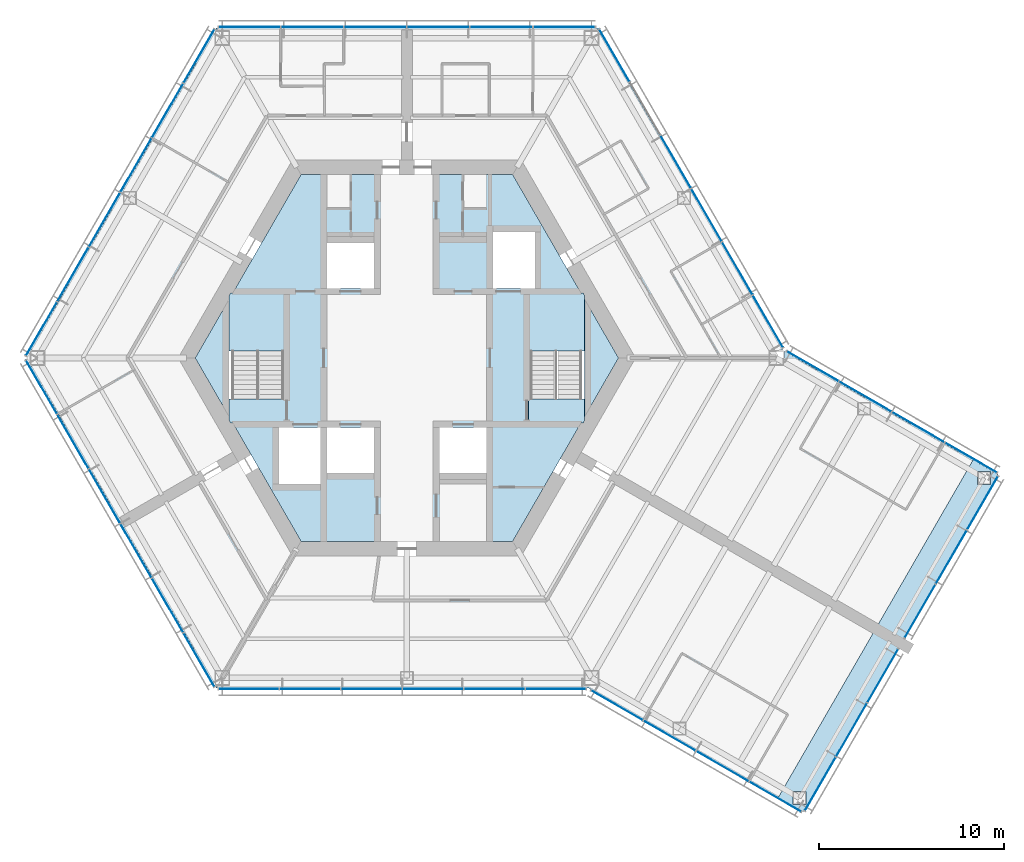
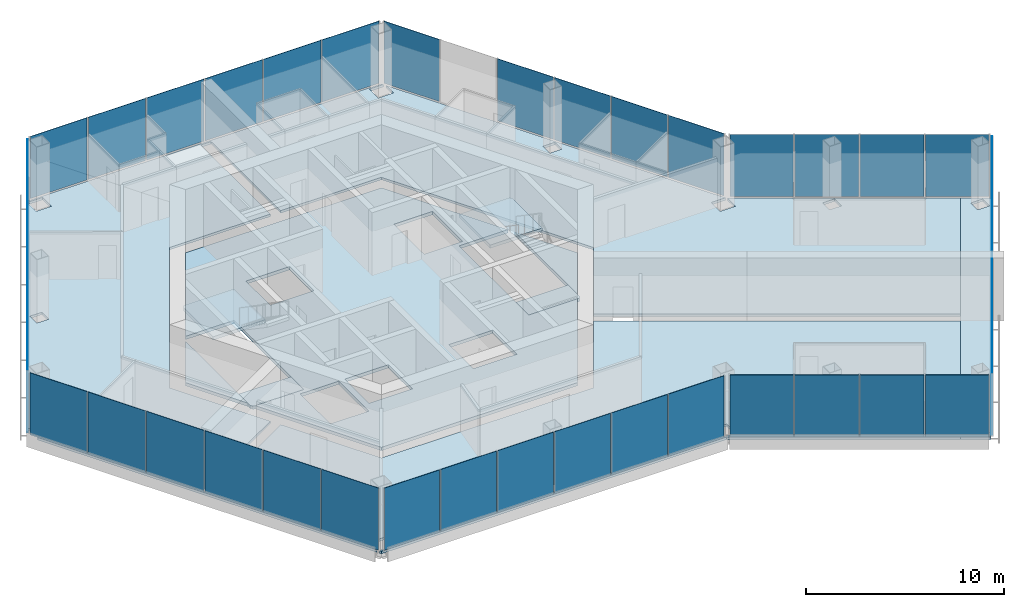
# One storey, part 8 of 14: 43 plates, 9 slabs, 11 elements without a shape of their own.
"""IFC4 building model written with IfcOpenShell, lengths in metres."""

from ifc_helpers import new_model, si_unit, direction, frame, origin, origin_2d, place, context, subcontext, project, spatial, polyline, rectangle, outline, extrude, material, layer, layer_set, type_object, element, aggregate, save


model = new_model("IFC4")

# Units and contexts
model_context = context("Model", 3, precision=1e-05, world=origin(), true_north=direction((0.0, 1.0)))
body_context = subcontext(model_context, "Body", "Model", "MODEL_VIEW")
ifc_project = project(units=[si_unit("LENGTHUNIT", "METRE"), si_unit("AREAUNIT", "SQUARE_METRE"), si_unit("VOLUMEUNIT", "CUBIC_METRE"), si_unit("PLANEANGLEUNIT", "RADIAN"), si_unit("MASSUNIT", "GRAM", prefix="KILO")], contexts=[model_context])

# Site, building, storey
site_placement = place(None, origin())
site = spatial("IfcSite", under=ifc_project, at=site_placement, CompositionType="ELEMENT")
building_placement = place(site_placement, origin())
building = spatial("IfcBuilding", under=site, at=building_placement, Name="Kasaneha Research Tower", CompositionType="ELEMENT")
storey_placement = place(building_placement, frame((0.0, 0.0, 216.699951171875)))
storey = spatial("IfcBuildingStorey", under=building, at=storey_placement, Name="L54", CompositionType="ELEMENT", Elevation=216.699951171875)

# Curtain wall, plates
ifc_material_1 = material(Name="Glass and aluminium", Category="aluminium")
curtain_wall_type = type_object("IfcCurtainWallType", Name="High-rise office curtain wall", PredefinedType="USERDEFINED", material=ifc_material_1)
curtain_wall_1_placement = place(storey_placement, origin())
curtain_wall_1 = element("IfcCurtainWall", 1, at=curtain_wall_1_placement, inside=storey, type_object=curtain_wall_type, Name="CW-O3 L54 run 01a", ObjectType="UNITISED CURTAIN WALL", PredefinedType="USERDEFINED")
ifc_material_2 = material(Name="Laminated double glazing", Category="glass")
ifc_layer_1 = layer(ifc_material_2, 0.02392578125)
ifc_layer_set_1 = layer_set([ifc_layer_1], Name="CW-O3 glazed panel")
plate_type = type_object("IfcPlateType", Name="CW-O3 glazed panel", PredefinedType="CURTAIN_PANEL", material=ifc_layer_set_1)
plate_1_placement = place(storey_placement, frame((19.549072265625, 1.981201171875, 0.06005859375), z_axis=(0.0, 0.0, 1.0), x_axis=(-0.499999979232, 0.866025415775, 0.0)))
plate_1 = element("IfcPlate", 2, at=plate_1_placement, type_object=plate_type, Name="CW-O3 panel 1", PredefinedType="CURTAIN_PANEL", context=body_context, shape_type="SweptSolid", body=[
    extrude(rectangle(XDim=3.240966796875, YDim=0.02392578125, at=origin_2d()), origin(), (0.0, 0.0, 1.0), 3.840087890625),
])
plate_2_placement = place(storey_placement, frame((17.89111328125, 4.852783203125, 0.06005859375), z_axis=(0.0, 0.0, 1.0), x_axis=(-0.499999979232, 0.866025415775, 0.0)))
plate_2 = element("IfcPlate", 3, at=plate_2_placement, type_object=plate_type, Name="CW-O3 panel 2", PredefinedType="CURTAIN_PANEL", context=body_context, shape_type="SweptSolid", body=[
    extrude(rectangle(XDim=3.27099609375, YDim=0.02392578125, at=origin_2d()), origin(), (0.0, 0.0, 1.0), 3.840087890625),
])
plate_3_placement = place(storey_placement, frame((16.2255859375, 7.737548828125, 0.06005859375), z_axis=(0.0, 0.0, 1.0), x_axis=(-0.499999979232, 0.866025415775, 0.0)))
plate_3 = element("IfcPlate", 4, at=plate_3_placement, type_object=plate_type, Name="CW-O3 panel 3", PredefinedType="CURTAIN_PANEL", context=body_context, shape_type="SweptSolid", body=[
    extrude(rectangle(XDim=3.27099609375, YDim=0.02392578125, at=origin_2d()), origin(), (0.0, 0.0, 1.0), 3.840087890625),
])
plate_4_placement = place(storey_placement, frame((14.56005859375, 10.622314453125, 0.06005859375), z_axis=(0.0, 0.0, 1.0), x_axis=(-0.499999979232, 0.866025415775, 0.0)))
plate_4 = element("IfcPlate", 5, at=plate_4_placement, type_object=plate_type, Name="CW-O3 panel 4", PredefinedType="CURTAIN_PANEL", context=body_context, shape_type="SweptSolid", body=[
    extrude(rectangle(XDim=3.27099609375, YDim=0.02392578125, at=origin_2d()), origin(), (0.0, 0.0, 1.0), 3.840087890625),
])
plate_5_placement = place(storey_placement, frame((11.236572265625, 16.378662109375, 0.06005859375), z_axis=(0.0, 0.0, 1.0), x_axis=(-0.499999979232, 0.866025415775, 0.0)))
plate_5 = element("IfcPlate", 6, at=plate_5_placement, type_object=plate_type, Name="CW-O3 panel 6", PredefinedType="CURTAIN_PANEL", context=body_context, shape_type="SweptSolid", body=[
    extrude(rectangle(XDim=3.240966796875, YDim=0.02392578125, at=origin_2d()), origin(), (0.0, 0.0, 1.0), 3.840087890625),
])
aggregate(curtain_wall_1, [plate_1, plate_2, plate_3, plate_4, plate_5])

curtain_wall_2_placement = place(storey_placement, origin())
curtain_wall_2 = element("IfcCurtainWall", 7, at=curtain_wall_2_placement, inside=storey, type_object=curtain_wall_type, Name="CW-O3 L54 run 02a", ObjectType="UNITISED CURTAIN WALL", PredefinedType="USERDEFINED")
plate_6_placement = place(storey_placement, frame((8.523681640625, 17.92041015625, 0.06005859375), z_axis=(0.0, 0.0, 1.0), x_axis=(-1.0, 0.0, 0.0)))
plate_6 = element("IfcPlate", 8, at=plate_6_placement, type_object=plate_type, Name="CW-O3 panel 1", PredefinedType="CURTAIN_PANEL", context=body_context, shape_type="SweptSolid", body=[
    extrude(rectangle(XDim=3.325439453125, YDim=0.02392578125, at=origin_2d()), origin(), (0.0, 0.0, 1.0), 3.840087890625),
])
plate_7_placement = place(storey_placement, frame((5.123291015625, 17.92041015625, 0.06005859375), z_axis=(0.0, 0.0, 1.0), x_axis=(-1.0, 0.0, 0.0)))
plate_7 = element("IfcPlate", 9, at=plate_7_placement, type_object=plate_type, Name="CW-O3 panel 2", PredefinedType="CURTAIN_PANEL", context=body_context, shape_type="SweptSolid", body=[
    extrude(rectangle(XDim=3.35546875, YDim=0.02392578125, at=origin_2d()), origin(), (0.0, 0.0, 1.0), 3.840087890625),
])
plate_8_placement = place(storey_placement, frame((1.707763671875, 17.92041015625, 0.06005859375), z_axis=(0.0, 0.0, 1.0), x_axis=(-1.0, 0.0, 0.0)))
plate_8 = element("IfcPlate", 10, at=plate_8_placement, type_object=plate_type, Name="CW-O3 panel 3", PredefinedType="CURTAIN_PANEL", context=body_context, shape_type="SweptSolid", body=[
    extrude(rectangle(XDim=3.35546875, YDim=0.02392578125, at=origin_2d()), origin(), (0.0, 0.0, 1.0), 3.840087890625),
])
plate_9_placement = place(storey_placement, frame((-1.707763671875, 17.92041015625, 0.06005859375), z_axis=(0.0, 0.0, 1.0), x_axis=(-1.0, 0.0, 0.0)))
plate_9 = element("IfcPlate", 11, at=plate_9_placement, type_object=plate_type, Name="CW-O3 panel 4", PredefinedType="CURTAIN_PANEL", context=body_context, shape_type="SweptSolid", body=[
    extrude(rectangle(XDim=3.35546875, YDim=0.02392578125, at=origin_2d()), origin(), (0.0, 0.0, 1.0), 3.840087890625),
])
plate_10_placement = place(storey_placement, frame((-5.123291015625, 17.92041015625, 0.06005859375), z_axis=(0.0, 0.0, 1.0), x_axis=(-1.0, 0.0, 0.0)))
plate_10 = element("IfcPlate", 12, at=plate_10_placement, type_object=plate_type, Name="CW-O3 panel 5", PredefinedType="CURTAIN_PANEL", context=body_context, shape_type="SweptSolid", body=[
    extrude(rectangle(XDim=3.35546875, YDim=0.02392578125, at=origin_2d()), origin(), (0.0, 0.0, 1.0), 3.840087890625),
])
plate_11_placement = place(storey_placement, frame((-8.523681640625, 17.92041015625, 0.06005859375), z_axis=(0.0, 0.0, 1.0), x_axis=(-1.0, 0.0, 0.0)))
plate_11 = element("IfcPlate", 13, at=plate_11_placement, type_object=plate_type, Name="CW-O3 panel 6", PredefinedType="CURTAIN_PANEL", context=body_context, shape_type="SweptSolid", body=[
    extrude(rectangle(XDim=3.325439453125, YDim=0.02392578125, at=origin_2d()), origin(), (0.0, 0.0, 1.0), 3.840087890625),
])
aggregate(curtain_wall_2, [plate_6, plate_7, plate_8, plate_9, plate_10, plate_11])

curtain_wall_3_placement = place(storey_placement, origin())
curtain_wall_3 = element("IfcCurtainWall", 14, at=curtain_wall_3_placement, inside=storey, type_object=curtain_wall_type, Name="CW-O3 L54 run 03a", ObjectType="UNITISED CURTAIN WALL", PredefinedType="USERDEFINED")
plate_12_placement = place(storey_placement, frame((-11.2578125, 16.342041015625, 0.06005859375), z_axis=(0.0, 0.0, 1.0), x_axis=(-0.499999995722, -0.866025406254, 0.0)))
plate_12 = element("IfcPlate", 15, at=plate_12_placement, type_object=plate_type, Name="CW-O3 panel 1", PredefinedType="CURTAIN_PANEL", context=body_context, shape_type="SweptSolid", body=[
    extrude(rectangle(XDim=3.325439453125, YDim=0.02392578125, at=origin_2d()), origin(), (0.0, 0.0, 1.0), 3.840087890625),
])
plate_13_placement = place(storey_placement, frame((-12.9580078125, 13.39697265625, 0.06005859375), z_axis=(0.0, 0.0, 1.0), x_axis=(-0.499999995722, -0.866025406254, 0.0)))
plate_13 = element("IfcPlate", 16, at=plate_13_placement, type_object=plate_type, Name="CW-O3 panel 2", PredefinedType="CURTAIN_PANEL", context=body_context, shape_type="SweptSolid", body=[
    extrude(rectangle(XDim=3.35546875, YDim=0.02392578125, at=origin_2d()), origin(), (0.0, 0.0, 1.0), 3.840087890625),
])
plate_14_placement = place(storey_placement, frame((-14.665771484375, 10.439208984375, 0.06005859375), z_axis=(0.0, 0.0, 1.0), x_axis=(-0.499999995722, -0.866025406254, 0.0)))
plate_14 = element("IfcPlate", 17, at=plate_14_placement, type_object=plate_type, Name="CW-O3 panel 3", PredefinedType="CURTAIN_PANEL", context=body_context, shape_type="SweptSolid", body=[
    extrude(rectangle(XDim=3.35546875, YDim=0.02392578125, at=origin_2d()), origin(), (0.0, 0.0, 1.0), 3.840087890625),
])
plate_15_placement = place(storey_placement, frame((-16.37353515625, 7.481201171875, 0.06005859375), z_axis=(0.0, 0.0, 1.0), x_axis=(-0.499999995722, -0.866025406254, 0.0)))
plate_15 = element("IfcPlate", 18, at=plate_15_placement, type_object=plate_type, Name="CW-O3 panel 4", PredefinedType="CURTAIN_PANEL", context=body_context, shape_type="SweptSolid", body=[
    extrude(rectangle(XDim=3.35546875, YDim=0.02392578125, at=origin_2d()), origin(), (0.0, 0.0, 1.0), 3.840087890625),
])
plate_16_placement = place(storey_placement, frame((-18.081298828125, 4.5234375, 0.06005859375), z_axis=(0.0, 0.0, 1.0), x_axis=(-0.499999995722, -0.866025406254, 0.0)))
plate_16 = element("IfcPlate", 19, at=plate_16_placement, type_object=plate_type, Name="CW-O3 panel 5", PredefinedType="CURTAIN_PANEL", context=body_context, shape_type="SweptSolid", body=[
    extrude(rectangle(XDim=3.35546875, YDim=0.02392578125, at=origin_2d()), origin(), (0.0, 0.0, 1.0), 3.840087890625),
])
plate_17_placement = place(storey_placement, frame((-19.781494140625, 1.57861328125, 0.06005859375), z_axis=(0.0, 0.0, 1.0), x_axis=(-0.499999995722, -0.866025406254, 0.0)))
plate_17 = element("IfcPlate", 20, at=plate_17_placement, type_object=plate_type, Name="CW-O3 panel 6", PredefinedType="CURTAIN_PANEL", context=body_context, shape_type="SweptSolid", body=[
    extrude(rectangle(XDim=3.325439453125, YDim=0.02392578125, at=origin_2d()), origin(), (0.0, 0.0, 1.0), 3.840087890625),
])
aggregate(curtain_wall_3, [plate_12, plate_13, plate_14, plate_15, plate_16, plate_17])

curtain_wall_4_placement = place(storey_placement, origin())
curtain_wall_4 = element("IfcCurtainWall", 21, at=curtain_wall_4_placement, inside=storey, type_object=curtain_wall_type, Name="CW-O3 L54 run 04a", ObjectType="UNITISED CURTAIN WALL", PredefinedType="USERDEFINED")
plate_18_placement = place(storey_placement, frame((-19.781494140625, -1.57861328125, 0.06005859375), z_axis=(0.0, 0.0, 1.0), x_axis=(0.499999995722, -0.866025406254, 0.0)))
plate_18 = element("IfcPlate", 22, at=plate_18_placement, type_object=plate_type, Name="CW-O3 panel 1", PredefinedType="CURTAIN_PANEL", context=body_context, shape_type="SweptSolid", body=[
    extrude(rectangle(XDim=3.325439453125, YDim=0.02392578125, at=origin_2d()), origin(), (0.0, 0.0, 1.0), 3.840087890625),
])
plate_19_placement = place(storey_placement, frame((-18.081298828125, -4.5234375, 0.06005859375), z_axis=(0.0, 0.0, 1.0), x_axis=(0.499999995722, -0.866025406254, 0.0)))
plate_19 = element("IfcPlate", 23, at=plate_19_placement, type_object=plate_type, Name="CW-O3 panel 2", PredefinedType="CURTAIN_PANEL", context=body_context, shape_type="SweptSolid", body=[
    extrude(rectangle(XDim=3.35546875, YDim=0.02392578125, at=origin_2d()), origin(), (0.0, 0.0, 1.0), 3.840087890625),
])
plate_20_placement = place(storey_placement, frame((-16.37353515625, -7.481201171875, 0.06005859375), z_axis=(0.0, 0.0, 1.0), x_axis=(0.499999995722, -0.866025406254, 0.0)))
plate_20 = element("IfcPlate", 24, at=plate_20_placement, type_object=plate_type, Name="CW-O3 panel 3", PredefinedType="CURTAIN_PANEL", context=body_context, shape_type="SweptSolid", body=[
    extrude(rectangle(XDim=3.35546875, YDim=0.02392578125, at=origin_2d()), origin(), (0.0, 0.0, 1.0), 3.840087890625),
])
plate_21_placement = place(storey_placement, frame((-14.665771484375, -10.439208984375, 0.06005859375), z_axis=(0.0, 0.0, 1.0), x_axis=(0.499999995722, -0.866025406254, 0.0)))
plate_21 = element("IfcPlate", 25, at=plate_21_placement, type_object=plate_type, Name="CW-O3 panel 4", PredefinedType="CURTAIN_PANEL", context=body_context, shape_type="SweptSolid", body=[
    extrude(rectangle(XDim=3.35546875, YDim=0.02392578125, at=origin_2d()), origin(), (0.0, 0.0, 1.0), 3.840087890625),
])
plate_22_placement = place(storey_placement, frame((-12.9580078125, -13.39697265625, 0.06005859375), z_axis=(0.0, 0.0, 1.0), x_axis=(0.499999995722, -0.866025406254, 0.0)))
plate_22 = element("IfcPlate", 26, at=plate_22_placement, type_object=plate_type, Name="CW-O3 panel 5", PredefinedType="CURTAIN_PANEL", context=body_context, shape_type="SweptSolid", body=[
    extrude(rectangle(XDim=3.35546875, YDim=0.02392578125, at=origin_2d()), origin(), (0.0, 0.0, 1.0), 3.840087890625),
])
plate_23_placement = place(storey_placement, frame((-11.2578125, -16.342041015625, 0.06005859375), z_axis=(0.0, 0.0, 1.0), x_axis=(0.499999995722, -0.866025406254, 0.0)))
plate_23 = element("IfcPlate", 27, at=plate_23_placement, type_object=plate_type, Name="CW-O3 panel 6", PredefinedType="CURTAIN_PANEL", context=body_context, shape_type="SweptSolid", body=[
    extrude(rectangle(XDim=3.325439453125, YDim=0.02392578125, at=origin_2d()), origin(), (0.0, 0.0, 1.0), 3.840087890625),
])
aggregate(curtain_wall_4, [plate_18, plate_19, plate_20, plate_21, plate_22, plate_23])

curtain_wall_5_placement = place(storey_placement, origin())
curtain_wall_5 = element("IfcCurtainWall", 28, at=curtain_wall_5_placement, inside=storey, type_object=curtain_wall_type, Name="CW-O3 L54 run 05a", ObjectType="UNITISED CURTAIN WALL", PredefinedType="USERDEFINED")
plate_24_placement = place(storey_placement, frame((-8.56591796875, -17.92041015625, 0.06005859375), z_axis=(0.0, 0.0, 1.0), x_axis=(1.0, 0.0, 0.0)))
plate_24 = element("IfcPlate", 29, at=plate_24_placement, type_object=plate_type, Name="CW-O3 panel 1", PredefinedType="CURTAIN_PANEL", context=body_context, shape_type="SweptSolid", body=[
    extrude(rectangle(XDim=3.240966796875, YDim=0.02392578125, at=origin_2d()), origin(), (0.0, 0.0, 1.0), 3.840087890625),
])
plate_25_placement = place(storey_placement, frame((-5.25, -17.92041015625, 0.06005859375), z_axis=(0.0, 0.0, 1.0), x_axis=(1.0, 0.0, 0.0)))
plate_25 = element("IfcPlate", 30, at=plate_25_placement, type_object=plate_type, Name="CW-O3 panel 2", PredefinedType="CURTAIN_PANEL", context=body_context, shape_type="SweptSolid", body=[
    extrude(rectangle(XDim=3.27099609375, YDim=0.02392578125, at=origin_2d()), origin(), (0.0, 0.0, 1.0), 3.840087890625),
])
plate_26_placement = place(storey_placement, frame((-1.9189453125, -17.92041015625, 0.06005859375), z_axis=(0.0, 0.0, 1.0), x_axis=(1.0, 0.0, 0.0)))
plate_26 = element("IfcPlate", 31, at=plate_26_placement, type_object=plate_type, Name="CW-O3 panel 3", PredefinedType="CURTAIN_PANEL", context=body_context, shape_type="SweptSolid", body=[
    extrude(rectangle(XDim=3.27099609375, YDim=0.02392578125, at=origin_2d()), origin(), (0.0, 0.0, 1.0), 3.840087890625),
])
plate_27_placement = place(storey_placement, frame((1.411865234375, -17.92041015625, 0.06005859375), z_axis=(0.0, 0.0, 1.0), x_axis=(1.0, 0.0, 0.0)))
plate_27 = element("IfcPlate", 32, at=plate_27_placement, type_object=plate_type, Name="CW-O3 panel 4", PredefinedType="CURTAIN_PANEL", context=body_context, shape_type="SweptSolid", body=[
    extrude(rectangle(XDim=3.27099609375, YDim=0.02392578125, at=origin_2d()), origin(), (0.0, 0.0, 1.0), 3.840087890625),
])
plate_28_placement = place(storey_placement, frame((4.742919921875, -17.92041015625, 0.06005859375), z_axis=(0.0, 0.0, 1.0), x_axis=(1.0, 0.0, 0.0)))
plate_28 = element("IfcPlate", 33, at=plate_28_placement, type_object=plate_type, Name="CW-O3 panel 5", PredefinedType="CURTAIN_PANEL", context=body_context, shape_type="SweptSolid", body=[
    extrude(rectangle(XDim=3.27099609375, YDim=0.02392578125, at=origin_2d()), origin(), (0.0, 0.0, 1.0), 3.840087890625),
])
plate_29_placement = place(storey_placement, frame((8.058837890625, -17.92041015625, 0.06005859375), z_axis=(0.0, 0.0, 1.0), x_axis=(1.0, 0.0, 0.0)))
plate_29 = element("IfcPlate", 34, at=plate_29_placement, type_object=plate_type, Name="CW-O3 panel 6", PredefinedType="CURTAIN_PANEL", context=body_context, shape_type="SweptSolid", body=[
    extrude(rectangle(XDim=3.240966796875, YDim=0.02392578125, at=origin_2d()), origin(), (0.0, 0.0, 1.0), 3.840087890625),
])
aggregate(curtain_wall_5, [plate_24, plate_25, plate_26, plate_27, plate_28, plate_29])

curtain_wall_6_placement = place(storey_placement, origin())
curtain_wall_6 = element("IfcCurtainWall", 35, at=curtain_wall_6_placement, inside=storey, type_object=curtain_wall_type, Name="CW-O3 L54 run 06a", ObjectType="UNITISED CURTAIN WALL", PredefinedType="USERDEFINED")
plate_30_placement = place(storey_placement, frame((11.3720703125, -18.805419921875, 0.06005859375), z_axis=(0.0, 0.0, 1.0), x_axis=(0.866025411464, -0.499999986699, 0.0)))
plate_30 = element("IfcPlate", 36, at=plate_30_placement, type_object=plate_type, Name="CW-O3 panel 1", PredefinedType="CURTAIN_PANEL", context=body_context, shape_type="SweptSolid", body=[
    extrude(rectangle(XDim=3.2197265625, YDim=0.02392578125, at=origin_2d()), origin(), (0.0, 0.0, 1.0), 3.840087890625),
])
plate_31_placement = place(storey_placement, frame((14.225341796875, -20.452880859375, 0.06005859375), z_axis=(0.0, 0.0, 1.0), x_axis=(0.866025411464, -0.499999986699, 0.0)))
plate_31 = element("IfcPlate", 37, at=plate_31_placement, type_object=plate_type, Name="CW-O3 panel 2", PredefinedType="CURTAIN_PANEL", context=body_context, shape_type="SweptSolid", body=[
    extrude(rectangle(XDim=3.249755859375, YDim=0.02392578125, at=origin_2d()), origin(), (0.0, 0.0, 1.0), 3.840087890625),
])
plate_32_placement = place(storey_placement, frame((17.091796875, -22.107666015625, 0.06005859375), z_axis=(0.0, 0.0, 1.0), x_axis=(0.866025411464, -0.499999986699, 0.0)))
plate_32 = element("IfcPlate", 38, at=plate_32_placement, type_object=plate_type, Name="CW-O3 panel 3", PredefinedType="CURTAIN_PANEL", context=body_context, shape_type="SweptSolid", body=[
    extrude(rectangle(XDim=3.249755859375, YDim=0.02392578125, at=origin_2d()), origin(), (0.0, 0.0, 1.0), 3.840087890625),
])
plate_33_placement = place(storey_placement, frame((19.945068359375, -23.755126953125, 0.06005859375), z_axis=(0.0, 0.0, 1.0), x_axis=(0.866025411464, -0.499999986699, 0.0)))
plate_33 = element("IfcPlate", 39, at=plate_33_placement, type_object=plate_type, Name="CW-O3 panel 4", PredefinedType="CURTAIN_PANEL", context=body_context, shape_type="SweptSolid", body=[
    extrude(rectangle(XDim=3.2197265625, YDim=0.02392578125, at=origin_2d()), origin(), (0.0, 0.0, 1.0), 3.840087890625),
])
aggregate(curtain_wall_6, [plate_30, plate_31, plate_32, plate_33])

curtain_wall_7_placement = place(storey_placement, origin())
curtain_wall_7 = element("IfcCurtainWall", 40, at=curtain_wall_7_placement, inside=storey, type_object=curtain_wall_type, Name="CW-O3 L54 run 07a", ObjectType="UNITISED CURTAIN WALL", PredefinedType="USERDEFINED")
plate_34_placement = place(storey_placement, frame((22.385498046875, -23.068359375, 0.06005859375), z_axis=(0.0, 0.0, 1.0), x_axis=(0.500000011442, 0.866025397178, 0.0)))
plate_34 = element("IfcPlate", 41, at=plate_34_placement, type_object=plate_type, Name="CW-O3 panel 1", PredefinedType="CURTAIN_PANEL", context=body_context, shape_type="SweptSolid", body=[
    extrude(rectangle(XDim=3.31005859375, YDim=0.02392578125, at=origin_2d()), origin(), (0.0, 0.0, 1.0), 3.840087890625),
])
plate_35_placement = place(storey_placement, frame((24.077880859375, -20.13671875, 0.06005859375), z_axis=(0.0, 0.0, 1.0), x_axis=(0.500000011442, 0.866025397178, 0.0)))
plate_35 = element("IfcPlate", 42, at=plate_35_placement, type_object=plate_type, Name="CW-O3 panel 2", PredefinedType="CURTAIN_PANEL", context=body_context, shape_type="SweptSolid", body=[
    extrude(rectangle(XDim=3.340087890625, YDim=0.02392578125, at=origin_2d()), origin(), (0.0, 0.0, 1.0), 3.840087890625),
])
plate_36_placement = place(storey_placement, frame((25.7705078125, -17.205322265625, 0.06005859375), z_axis=(0.0, 0.0, 1.0), x_axis=(0.500000011442, 0.866025397178, 0.0)))
plate_36 = element("IfcPlate", 43, at=plate_36_placement, type_object=plate_type, Name="CW-O3 panel 3", PredefinedType="CURTAIN_PANEL", context=body_context, shape_type="SweptSolid", body=[
    extrude(rectangle(XDim=3.31005859375, YDim=0.02392578125, at=origin_2d()), origin(), (0.0, 0.0, 1.0), 3.840087890625),
])
aggregate(curtain_wall_7, [plate_34, plate_35, plate_36])

curtain_wall_8_placement = place(storey_placement, origin())
curtain_wall_8 = element("IfcCurtainWall", 44, at=curtain_wall_8_placement, inside=storey, type_object=curtain_wall_type, Name="CW-O3 L54 run 08a", ObjectType="UNITISED CURTAIN WALL", PredefinedType="USERDEFINED")
plate_37_placement = place(storey_placement, frame((27.785400390625, -13.71533203125, 0.06005859375), z_axis=(0.0, 0.0, 1.0), x_axis=(0.500000011442, 0.866025397178, 0.0)))
plate_37 = element("IfcPlate", 45, at=plate_37_placement, type_object=plate_type, Name="CW-O3 panel 1", PredefinedType="CURTAIN_PANEL", context=body_context, shape_type="SweptSolid", body=[
    extrude(rectangle(XDim=3.31005859375, YDim=0.02392578125, at=origin_2d()), origin(), (0.0, 0.0, 1.0), 3.840087890625),
])
plate_38_placement = place(storey_placement, frame((29.47802734375, -10.78369140625, 0.06005859375), z_axis=(0.0, 0.0, 1.0), x_axis=(0.500000011442, 0.866025397178, 0.0)))
plate_38 = element("IfcPlate", 46, at=plate_38_placement, type_object=plate_type, Name="CW-O3 panel 2", PredefinedType="CURTAIN_PANEL", context=body_context, shape_type="SweptSolid", body=[
    extrude(rectangle(XDim=3.340087890625, YDim=0.02392578125, at=origin_2d()), origin(), (0.0, 0.0, 1.0), 3.840087890625),
])
plate_39_placement = place(storey_placement, frame((31.17041015625, -7.852294921875, 0.06005859375), z_axis=(0.0, 0.0, 1.0), x_axis=(0.500000011442, 0.866025397178, 0.0)))
plate_39 = element("IfcPlate", 47, at=plate_39_placement, type_object=plate_type, Name="CW-O3 panel 3", PredefinedType="CURTAIN_PANEL", context=body_context, shape_type="SweptSolid", body=[
    extrude(rectangle(XDim=3.31005859375, YDim=0.02392578125, at=origin_2d()), origin(), (0.0, 0.0, 1.0), 3.840087890625),
])
aggregate(curtain_wall_8, [plate_37, plate_38, plate_39])

curtain_wall_9_placement = place(storey_placement, origin())
curtain_wall_9 = element("IfcCurtainWall", 48, at=curtain_wall_9_placement, inside=storey, type_object=curtain_wall_type, Name="CW-O3 L54 run 09a", ObjectType="UNITISED CURTAIN WALL", PredefinedType="USERDEFINED")
plate_40_placement = place(storey_placement, frame((30.545166015625, -5.3955078125, 0.06005859375), z_axis=(0.0, 0.0, 1.0), x_axis=(-0.866025411464, 0.499999986699, 0.0)))
plate_40 = element("IfcPlate", 49, at=plate_40_placement, type_object=plate_type, Name="CW-O3 panel 1", PredefinedType="CURTAIN_PANEL", context=body_context, shape_type="SweptSolid", body=[
    extrude(rectangle(XDim=3.2197265625, YDim=0.02392578125, at=origin_2d()), origin(), (0.0, 0.0, 1.0), 3.840087890625),
])
plate_41_placement = place(storey_placement, frame((27.69189453125, -3.748046875, 0.06005859375), z_axis=(0.0, 0.0, 1.0), x_axis=(-0.866025411464, 0.499999986699, 0.0)))
plate_41 = element("IfcPlate", 50, at=plate_41_placement, type_object=plate_type, Name="CW-O3 panel 2", PredefinedType="CURTAIN_PANEL", context=body_context, shape_type="SweptSolid", body=[
    extrude(rectangle(XDim=3.249755859375, YDim=0.02392578125, at=origin_2d()), origin(), (0.0, 0.0, 1.0), 3.840087890625),
])
plate_42_placement = place(storey_placement, frame((24.825439453125, -2.093017578125, 0.06005859375), z_axis=(0.0, 0.0, 1.0), x_axis=(-0.866025411464, 0.499999986699, 0.0)))
plate_42 = element("IfcPlate", 51, at=plate_42_placement, type_object=plate_type, Name="CW-O3 panel 3", PredefinedType="CURTAIN_PANEL", context=body_context, shape_type="SweptSolid", body=[
    extrude(rectangle(XDim=3.249755859375, YDim=0.02392578125, at=origin_2d()), origin(), (0.0, 0.0, 1.0), 3.840087890625),
])
plate_43_placement = place(storey_placement, frame((21.971923828125, -0.44580078125, 0.06005859375), z_axis=(0.0, 0.0, 1.0), x_axis=(-0.866025411464, 0.499999986699, 0.0)))
plate_43 = element("IfcPlate", 52, at=plate_43_placement, type_object=plate_type, Name="CW-O3 panel 4", PredefinedType="CURTAIN_PANEL", context=body_context, shape_type="SweptSolid", body=[
    extrude(rectangle(XDim=3.2197265625, YDim=0.02392578125, at=origin_2d()), origin(), (0.0, 0.0, 1.0), 3.840087890625),
])
aggregate(curtain_wall_9, [plate_40, plate_41, plate_42, plate_43])

# Slabs
ifc_material_3 = material(Name="Concrete Fc24", Category="concrete")
ifc_layer_2 = layer(ifc_material_3, 0.199951171875)
ifc_layer_set_2 = layer_set([ifc_layer_2], Name="Core floor slab 200")
slab_type_1 = type_object("IfcSlabType", Name="Core floor slab 200", PredefinedType="FLOOR", material=ifc_layer_set_2)
slab_1_placement = place(storey_placement, frame((0.0, 0.0, -0.199951171875)))
element("IfcSlab", 53, at=slab_1_placement, inside=storey, type_object=slab_type_1, Name="Core slab L54", PredefinedType="FLOOR", context=body_context, shape_type="SweptSolid", body=[
    extrude(outline(polyline([(-11.46044921875, 0.0), (-9.625, 3.178955078125), (-9.625, -3.178955078125), (-11.46044921875, 0.0)])), origin(), (0.0, 0.0, 1.0), 0.199951171875),
])
slab_2_placement = place(storey_placement, frame((0.0, 0.0, -0.199951171875)))
element("IfcSlab", 54, at=slab_2_placement, inside=storey, type_object=slab_type_1, Name="Core slab L54", PredefinedType="FLOOR", context=body_context, shape_type="SweptSolid", body=[
    extrude(outline(polyline([(-5.730224609375, 9.925048828125), (5.730224609375, 9.925048828125), (9.42529296875, 3.52490234375), (6.574951171875, 3.52490234375), (6.574951171875, -3.52490234375), (9.42529296875, -3.52490234375), (5.730224609375, -9.925048828125), (-5.730224609375, -9.925048828125), (-9.42529296875, -3.52490234375), (-6.574951171875, -3.52490234375), (-6.574951171875, 3.52490234375), (-9.42529296875, 3.52490234375), (-5.730224609375, 9.925048828125)]), holes=[polyline([(-6.925048828125, -6.824951171875), (-4.675048828125, -6.824951171875), (-4.675048828125, -3.77490234375), (-6.925048828125, -3.77490234375), (-6.925048828125, -6.824951171875)]), polyline([(-4.324951171875, -3.77490234375), (-4.324951171875, -6.22509765625), (-1.77490234375, -6.22509765625), (-1.77490234375, -3.77490234375), (-4.324951171875, -3.77490234375)]), polyline([(1.77490234375, -3.77490234375), (1.77490234375, -6.22509765625), (4.324951171875, -6.22509765625), (4.324951171875, -3.77490234375), (1.77490234375, -3.77490234375)]), polyline([(-4.324951171875, 6.22509765625), (-4.324951171875, 3.77490234375), (-1.77490234375, 3.77490234375), (-1.77490234375, 6.22509765625), (-4.324951171875, 6.22509765625)]), polyline([(4.675048828125, 6.824951171875), (4.675048828125, 3.77490234375), (6.925048828125, 3.77490234375), (6.925048828125, 6.824951171875), (4.675048828125, 6.824951171875)])]), origin(), (0.0, 0.0, 1.0), 0.199951171875),
])
slab_3_placement = place(storey_placement, frame((0.0, 0.0, -0.199951171875)))
element("IfcSlab", 55, at=slab_3_placement, inside=storey, type_object=slab_type_1, Name="Core slab L54", PredefinedType="FLOOR", context=body_context, shape_type="SweptSolid", body=[
    extrude(outline(polyline([(11.46044921875, 0.0), (9.625, -3.178955078125), (9.625, 3.178955078125), (11.46044921875, 0.0)])), origin(), (0.0, 0.0, 1.0), 0.199951171875),
])
ifc_material_4 = material(Name="Concrete Fc24", Category="concrete")
ifc_layer_3 = layer(ifc_material_4, 0.14990234375)
ifc_layer_set_3 = layer_set([ifc_layer_3], Name="Floor slab 150")
slab_type_2 = type_object("IfcSlabType", Name="Floor slab 150", PredefinedType="FLOOR", material=ifc_layer_set_3)
slab_4_placement = place(storey_placement, frame((0.0, 0.0, -0.14990234375)))
element("IfcSlab", 56, at=slab_4_placement, inside=storey, type_object=slab_type_2, Name="Floor slab L54 1", PredefinedType="FLOOR", context=body_context, shape_type="SweptSolid", body=[
    extrude(outline(polyline([(9.8525390625, -17.87060546875), (-10.317626953125, -17.87060546875), (-10.375244140625, -17.7705078125), (-9.550048828125, -17.7705078125), (-9.550048828125, -16.87060546875), (-10.449951171875, -16.87060546875), (-10.449951171875, -17.64111328125), (-20.375244140625, -0.449951171875), (-19.550048828125, -0.449951171875), (-19.550048828125, 0.449951171875), (-20.375244140625, 0.449951171875), (-10.449951171875, 17.64111328125), (-10.449951171875, 16.87060546875), (-9.550048828125, 16.87060546875), (-9.550048828125, 17.7705078125), (-10.375244140625, 17.7705078125), (-10.317626953125, 17.87060546875), (10.317626953125, 17.87060546875), (10.375244140625, 17.7705078125), (9.550048828125, 17.7705078125), (9.550048828125, 16.87060546875), (10.449951171875, 16.87060546875), (10.449951171875, 17.64111328125), (20.375244140625, 0.449951171875), (19.550048828125, 0.449951171875), (19.550048828125, -0.449951171875), (20.449951171875, -0.449951171875), (20.449951171875, 0.375244140625), (30.65869140625, -5.518798828125), (25.53369140625, -14.3955078125), (9.438232421875, -5.102783203125), (12.38427734375, 0.0), (6.192138671875, 10.72509765625), (0.300048828125, 10.72509765625), (0.300048828125, 17.7705078125), (-0.300048828125, 17.7705078125), (-0.300048828125, 10.72509765625), (-6.192138671875, 10.72509765625), (-12.38427734375, 0.0), (-9.438232421875, -5.102783203125), (-15.539794921875, -8.62548828125), (-15.23974609375, -9.14501953125), (-9.13818359375, -5.622314453125), (-6.192138671875, -10.72509765625), (6.192138671875, -10.72509765625), (9.13818359375, -5.622314453125), (25.233642578125, -14.9150390625), (20.108642578125, -23.791748046875), (9.8525390625, -17.87060546875)]), holes=[polyline([(-0.35009765625, -16.970458984375), (-0.35009765625, -17.67041015625), (0.35009765625, -17.67041015625), (0.35009765625, -16.970458984375), (-0.35009765625, -16.970458984375)]), polyline([(-15.35009765625, 9.01025390625), (-15.35009765625, 8.310302734375), (-14.64990234375, 8.310302734375), (-14.64990234375, 9.01025390625), (-15.35009765625, 9.01025390625)]), polyline([(14.4130859375, -19.720458984375), (14.4130859375, -20.42041015625), (15.113037109375, -20.42041015625), (15.113037109375, -19.720458984375), (14.4130859375, -19.720458984375)]), polyline([(9.550048828125, -16.87060546875), (9.550048828125, -17.7705078125), (10.449951171875, -17.7705078125), (10.449951171875, -16.87060546875), (9.550048828125, -16.87060546875)]), polyline([(24.4130859375, -2.39990234375), (24.4130859375, -3.10009765625), (25.113037109375, -3.10009765625), (25.113037109375, -2.39990234375), (24.4130859375, -2.39990234375)]), polyline([(15.35009765625, 9.01025390625), (14.64990234375, 9.01025390625), (14.64990234375, 8.310302734375), (15.35009765625, 8.310302734375), (15.35009765625, 9.01025390625)])]), origin(), (0.0, 0.0, 1.0), 0.14990234375),
])
slab_5_placement = place(storey_placement, frame((0.0, 0.0, -0.14990234375)))
element("IfcSlab", 57, at=slab_5_placement, inside=storey, type_object=slab_type_2, Name="Floor slab L54 2", PredefinedType="FLOOR", context=body_context, shape_type="SweptSolid", body=[
    extrude(outline(polyline([(20.108642578125, -23.791748046875), (25.233642578125, -14.9150390625), (25.2421875, -14.920166015625), (25.542236328125, -14.400390625), (25.53369140625, -14.3955078125), (30.65869140625, -5.518798828125), (32.009521484375, -6.298583984375), (21.459716796875, -24.57177734375), (20.108642578125, -23.791748046875)]), holes=[polyline([(20.908447265625, -23.470458984375), (20.908447265625, -24.17041015625), (21.6083984375, -24.17041015625), (21.6083984375, -23.470458984375), (20.908447265625, -23.470458984375)]), polyline([(30.908447265625, -6.14990234375), (30.908447265625, -6.85009765625), (31.6083984375, -6.85009765625), (31.6083984375, -6.14990234375), (30.908447265625, -6.14990234375)])]), origin(), (0.0, 0.0, 1.0), 0.14990234375),
])

# Stair, slabs
ifc_material_5 = material(Name="Concrete Fc24", Category="concrete")
stair_type = type_object("IfcStairType", Name="Half-turn stair 22 risers", PredefinedType="HALF_TURN_STAIR", material=ifc_material_5)
stair_1_placement = place(storey_placement, origin())
stair_1 = element("IfcStair", 58, at=stair_1_placement, inside=storey, type_object=stair_type, Name="Stair 1 L54", PredefinedType="HALF_TURN_STAIR")
ifc_material_6 = material(Name="Concrete Fc24", Category="concrete")
ifc_layer_4 = layer(ifc_material_6, 0.199951171875)
ifc_layer_set_4 = layer_set([ifc_layer_4], Name="Stair 1 landing 200")
slab_type_3 = type_object("IfcSlabType", Name="Stair 1 landing 200", PredefinedType="LANDING", material=ifc_layer_set_4)
slab_6_placement = place(storey_placement, frame((0.0, 0.0, -0.199951171875)))
slab_6 = element("IfcSlab", 59, at=slab_6_placement, type_object=slab_type_3, Name="ST1-22R landing 1", PredefinedType="LANDING", context=body_context, shape_type="SweptSolid", body=[
    extrude(outline(polyline([(9.540771484375, -3.52490234375), (6.574951171875, -3.52490234375), (6.574951171875, -2.22509765625), (9.625, -2.22509765625), (9.625, -3.37890625), (9.540771484375, -3.52490234375)])), origin(), (0.0, 0.0, 1.0), 0.199951171875),
])
slab_7_placement = place(storey_placement, frame((0.0, 0.0, 1.75)))
slab_7 = element("IfcSlab", 60, at=slab_7_placement, type_object=slab_type_3, Name="ST1-22R landing 2", PredefinedType="LANDING", context=body_context, shape_type="SweptSolid", body=[
    extrude(outline(polyline([(6.574951171875, 3.52490234375), (9.540771484375, 3.52490234375), (9.625, 3.37890625), (9.625, 0.375), (6.574951171875, 0.375), (6.574951171875, 3.52490234375)])), origin(), (0.0, 0.0, 1.0), 0.199951171875),
])
aggregate(stair_1, [slab_6, slab_7])

stair_2_placement = place(storey_placement, origin())
stair_2 = element("IfcStair", 61, at=stair_2_placement, inside=storey, type_object=stair_type, Name="Stair 2 L54", PredefinedType="HALF_TURN_STAIR")
ifc_material_7 = material(Name="Concrete Fc24", Category="concrete")
ifc_layer_5 = layer(ifc_material_7, 0.199951171875)
ifc_layer_set_5 = layer_set([ifc_layer_5], Name="Stair 2 landing 200")
slab_type_4 = type_object("IfcSlabType", Name="Stair 2 landing 200", PredefinedType="LANDING", material=ifc_layer_set_5)
slab_8_placement = place(storey_placement, frame((0.0, 0.0, -0.199951171875)))
slab_8 = element("IfcSlab", 62, at=slab_8_placement, type_object=slab_type_4, Name="ST2-22R landing 1", PredefinedType="LANDING", context=body_context, shape_type="SweptSolid", body=[
    extrude(outline(polyline([(-6.574951171875, -3.52490234375), (-9.540771484375, -3.52490234375), (-9.625, -3.37890625), (-9.625, -2.22509765625), (-6.574951171875, -2.22509765625), (-6.574951171875, -3.52490234375)])), origin(), (0.0, 0.0, 1.0), 0.199951171875),
])
slab_9_placement = place(storey_placement, frame((0.0, 0.0, 1.75)))
slab_9 = element("IfcSlab", 63, at=slab_9_placement, type_object=slab_type_4, Name="ST2-22R landing 2", PredefinedType="LANDING", context=body_context, shape_type="SweptSolid", body=[
    extrude(outline(polyline([(-6.574951171875, 0.375), (-9.625, 0.375), (-9.625, 3.37890625), (-9.540771484375, 3.52490234375), (-6.574951171875, 3.52490234375), (-6.574951171875, 0.375)])), origin(), (0.0, 0.0, 1.0), 0.199951171875),
])
aggregate(stair_2, [slab_8, slab_9])

save(model, "model.ifc")
